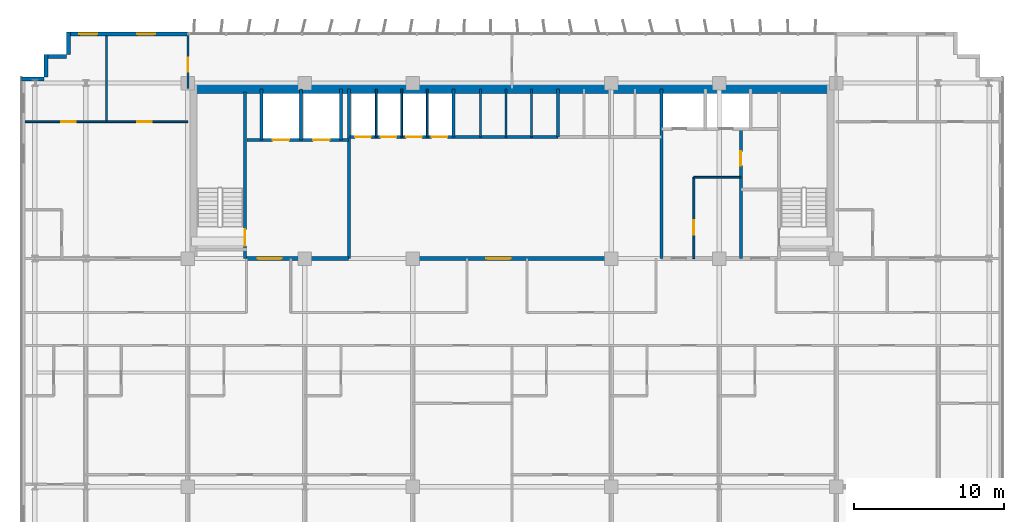
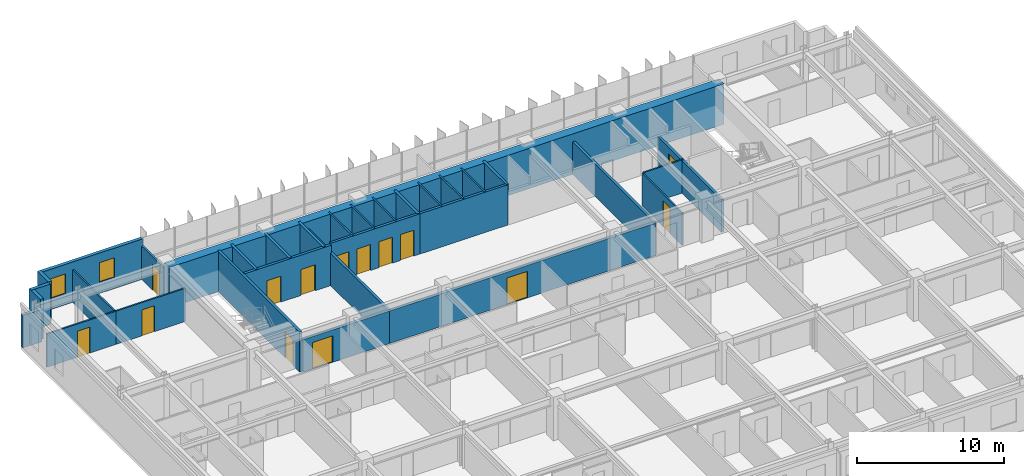
# One storey, part 19 of 24: 32 walls, 14 doors, 2 windows, 16 openings.
"""IFC4 building model written with IfcOpenShell, lengths in metres."""

from ifc_helpers import new_model, si_unit, direction, frame, frame_2d, origin, place, context, subcontext, project, spatial, rectangle, extrude, source, transform, mapped, material, layer, layer_set, type_object, element, fill, save


model = new_model("IFC4")

# Units and contexts
model_context = context("Model", 3, precision=1e-05, world=origin(), true_north=direction((0.0, 1.0)))
body_context = subcontext(model_context, "Body", "Model", "MODEL_VIEW")
ifc_project = project(units=[si_unit("LENGTHUNIT", "METRE"), si_unit("AREAUNIT", "SQUARE_METRE"), si_unit("VOLUMEUNIT", "CUBIC_METRE"), si_unit("PLANEANGLEUNIT", "RADIAN"), si_unit("MASSUNIT", "GRAM", prefix="KILO")], contexts=[model_context])

# Site, building, storey
site_placement = place(None, origin())
site = spatial("IfcSite", under=ifc_project, at=site_placement, CompositionType="ELEMENT")
building_placement = place(site_placement, origin())
building = spatial("IfcBuilding", under=site, at=building_placement, Name="Trelvane Seafront Commons", CompositionType="ELEMENT")
storey_placement = place(building_placement, frame((0.0, 0.0, 27.10009765625)))
storey = spatial("IfcBuildingStorey", under=building, at=storey_placement, Name="L06", CompositionType="ELEMENT", Elevation=27.10009765625)

# Wall, openings, windows
ifc_material_1 = material(Name="Precast concrete C40/50", Category="concrete")
ifc_layer_1 = layer(ifc_material_1, 0.260009765625, Name="ARCH-WALL-EXT260")
ifc_layer_set_1 = layer_set([ifc_layer_1], Name="Precast concrete C40/50")
wall_type_1 = type_object("IfcWallType", Name="ARCH-WALL-EXT260", PredefinedType="SOLIDWALL", material=ifc_layer_set_1)
wall_1_placement = place(storey_placement, frame((7.60009765625, 48.3701171875, 0.0), z_axis=(0.0, 0.0, 1.0), x_axis=(1.0, 0.0, 0.0)))
wall_1 = element("IfcWall", 1, at=wall_1_placement, inside=storey, type_object=wall_type_1, Name="EW-L06-NW-0066", PredefinedType="SOLIDWALL", context=body_context, shape_type="SweptSolid", body=[
    extrude(rectangle(XDim=8.0, YDim=0.260009765625, at=frame_2d((4.0, 0.0))), origin(), (0.0, 0.0, 1.0), 3.33984375),
])
opening_1_placement = place(wall_1_placement, frame((0.76806640625, 0.0, 0.89990234375)))
opening_1 = element("IfcOpeningElement", 2, at=opening_1_placement, cuts=wall_1, Name="Opening W05", PredefinedType="OPENING", context=body_context, shape_type="SweptSolid", body=[
    extrude(rectangle(XDim=1.199951171875, YDim=1.64990234375, at=frame_2d((0.60009765625, 0.824951171875))), frame((0.0, 0.139892578125, 0.0), z_axis=(0.0, -1.0, 0.0), x_axis=(1.0, 0.0, 0.0)), (0.0, 0.0, 1.0), 0.280029296875),
])
opening_2_placement = place(wall_1_placement, frame((4.60791015625, 0.0, 0.89990234375)))
opening_2 = element("IfcOpeningElement", 3, at=opening_2_placement, cuts=wall_1, Name="Opening W05", PredefinedType="OPENING", context=body_context, shape_type="SweptSolid", body=[
    extrude(rectangle(XDim=1.199951171875, YDim=1.64990234375, at=frame_2d((0.60009765625, 0.824951171875))), frame((0.0, 0.139892578125, 0.0), z_axis=(0.0, -1.0, 0.0), x_axis=(1.0, 0.0, 0.0)), (0.0, 0.0, 1.0), 0.280029296875),
])
ifc_material_2 = material(Name="Low-E coastal double glazing", Category="glass")
window_type = type_object("IfcWindowType", Name="ARCH-WIN-W05", PartitioningType="SINGLE_PANEL", PredefinedType="WINDOW", material=ifc_material_2)
shared_shape_1 = source(origin(), body_context, "Body", "SweptSolid", [
    extrude(rectangle(XDim=1.199951171875, YDim=1.64990234375, at=frame_2d((0.60009765625, 0.824951171875))), frame((0.0, 0.030029296875, 0.0), z_axis=(0.0, -1.0, 0.0), x_axis=(1.0, 0.0, 0.0)), (0.0, 0.0, 1.0), 0.06005859375),
])
window_1_placement = place(opening_1_placement, origin())
window_1 = element("IfcWindow", 4, at=window_1_placement, inside=storey, type_object=window_type, Name="WIN-L06-00100", OverallHeight=1.64990234375, OverallWidth=1.199951171875, PartitioningType="SINGLE_PANEL", PredefinedType="WINDOW", context=body_context, shape_type="MappedRepresentation", body=[
    mapped(shared_shape_1, transform((0.0, 0.0, 0.0), x_axis=(1.0, 0.0, 0.0), y_axis=(0.0, 1.0, 0.0), z_axis=(0.0, 0.0, 1.0), scale=1.0)),
])
fill(opening_1, window_1)
window_2_placement = place(opening_2_placement, origin())
window_2 = element("IfcWindow", 5, at=window_2_placement, inside=storey, type_object=window_type, Name="WIN-L06-00101", OverallHeight=1.64990234375, OverallWidth=1.199951171875, PartitioningType="SINGLE_PANEL", PredefinedType="WINDOW", context=body_context, shape_type="MappedRepresentation", body=[
    mapped(shared_shape_1, transform((0.0, 0.0, 0.0), x_axis=(1.0, 0.0, 0.0), y_axis=(0.0, 1.0, 0.0), z_axis=(0.0, 0.0, 1.0), scale=1.0)),
])
fill(opening_2, window_2)

# Walls
wall_2_placement = place(storey_placement, frame((4.5, 45.3701171875, 0.0), z_axis=(0.0, 0.0, 1.0), x_axis=(1.0, 0.0, 0.0)))
element("IfcWall", 6, at=wall_2_placement, inside=storey, type_object=wall_type_1, Name="EW-L06-00072", PredefinedType="SOLIDWALL", context=body_context, shape_type="SweptSolid", body=[
    extrude(rectangle(XDim=1.5, YDim=0.260009765625, at=frame_2d((0.75, 0.0))), origin(), (0.0, 0.0, 1.0), 2.68994140625),
])
for number, where, z_axis, x_axis, name in (
    (7, (6.1298828125, 45.5, 0.0), (0.0, 0.0, 1.0), (0.0, 1.0, 0.0), "EW-L06-00073"),
    (8, (6.0, 46.8701171875, 0.0), (0.0, 0.0, 1.0), (1.0, 0.0, 0.0), "EW-L06-00074"),
    (9, (7.6298828125, 47.0, 0.0), (0.0, 0.0, 1.0), (0.0, 1.0, 0.0), "EW-L06-00075"),
):
    element("IfcWall", number, at=place(storey_placement, frame(where, z_axis=z_axis, x_axis=x_axis)), inside=storey, type_object=wall_type_1, Name=name, PredefinedType="SOLIDWALL", context=body_context, shape_type="SweptSolid", body=[
        extrude(rectangle(XDim=1.5, YDim=0.260009765625, at=frame_2d((0.75, 0.0))), origin(), (0.0, 0.0, 1.0), 3.33984375),
    ])

# Wall, opening, door
ifc_material_3 = material(Name="Concrete C40/50", Category="concrete")
ifc_layer_2 = layer(ifc_material_3, 0.199951171875, Name="ARCH-WALL-FIRE200")
ifc_layer_set_2 = layer_set([ifc_layer_2], Name="Concrete C40/50")
wall_type_2 = type_object("IfcWallType", Name="ARCH-WALL-FIRE200", PredefinedType="PARTITIONING", material=ifc_layer_set_2)
wall_3_placement = place(storey_placement, frame((52.449951171875, 33.39990234375, 0.0), z_axis=(0.0, 0.0, 1.0), x_axis=(0.0, 1.0, 0.0)))
wall_3 = element("IfcWall", 10, at=wall_3_placement, inside=storey, type_object=wall_type_2, Name="W-L06-ST2V-W-033", PredefinedType="PARTITIONING", context=body_context, shape_type="SweptSolid", body=[
    extrude(rectangle(XDim=8.650146484375, YDim=0.199951171875, at=frame_2d((4.3251953125, 0.0))), origin(), (0.0, 0.0, 1.0), 2.68994140625),
])
opening_3_placement = place(wall_3_placement, frame((6.199951171875, 0.0, 0.0)))
opening_3 = element("IfcOpeningElement", 11, at=opening_3_placement, cuts=wall_3, Name="Opening FD-L06-13", PredefinedType="OPENING", context=body_context, shape_type="SweptSolid", body=[
    extrude(rectangle(XDim=0.949951171875, YDim=2.14990234375, at=frame_2d((0.47509765625, 1.074951171875))), frame((0.0, 0.10986328125, 0.0), z_axis=(0.0, -1.0, 0.0), x_axis=(1.0, 0.0, 0.0)), (0.0, 0.0, 1.0), 0.219970703125),
])
ifc_material_4 = material(Name="Powder-coated aluminium frame", Category="aluminium")
door_type_1 = type_object("IfcDoorType", Name="ARCH-DR-FD60-950", OperationType="NOTDEFINED", PredefinedType="DOOR", material=ifc_material_4)
shared_shape_2 = source(origin(), body_context, "Body", "SweptSolid", [
    extrude(rectangle(XDim=0.949951171875, YDim=2.14990234375, at=frame_2d((0.47509765625, 1.074951171875))), frame((0.0, 0.02490234375, 0.0), z_axis=(0.0, -1.0, 0.0), x_axis=(1.0, 0.0, 0.0)), (0.0, 0.0, 1.0), 0.050048828125),
])
door_1_placement = place(opening_3_placement, origin())
door_1 = element("IfcDoor", 12, at=door_1_placement, inside=storey, type_object=door_type_1, Name="L06 Cleaner Store Door", OperationType="SINGLE_SWING_LEFT", OverallHeight=2.14990234375, OverallWidth=0.949951171875, PredefinedType="DOOR", context=body_context, shape_type="MappedRepresentation", body=[
    mapped(shared_shape_2, transform((0.0, 0.0, 0.0), x_axis=(1.0, 0.0, 0.0), y_axis=(0.0, 1.0, 0.0), z_axis=(0.0, 0.0, 1.0), scale=1.0)),
])
fill(opening_3, door_1)

ifc_layer_3 = layer(ifc_material_3, 0.25, Name="ARCH-WALL-FIRE250")
ifc_layer_set_3 = layer_set([ifc_layer_3], Name="Concrete C40/50")
wall_type_3 = type_object("IfcWallType", Name="ARCH-WALL-FIRE250", PredefinedType="PARTITIONING", material=ifc_layer_set_3)
wall_4_placement = place(storey_placement, frame((19.5, 33.39990234375, 0.0), z_axis=(0.0, 0.0, 1.0), x_axis=(1.0, 0.0, 0.0)))
wall_4 = element("IfcWall", 13, at=wall_4_placement, inside=storey, type_object=wall_type_3, Name="W-L06-CS-FFL-013", PredefinedType="PARTITIONING", context=body_context, shape_type="SweptSolid", body=[
    extrude(rectangle(XDim=6.800048828125, YDim=0.25, at=frame_2d((3.39990234375, 0.0))), origin(), (0.0, 0.0, 1.0), 2.68994140625),
])
opening_4_placement = place(wall_4_placement, frame((0.75, 0.0, 0.0)))
opening_4 = element("IfcOpeningElement", 14, at=opening_4_placement, cuts=wall_4, Name="Opening FD-L06-05", PredefinedType="OPENING", context=body_context, shape_type="SweptSolid", body=[
    extrude(rectangle(XDim=1.60009765625, YDim=2.199951171875, at=frame_2d((0.800048828125, 1.10009765625))), frame((0.0, 0.135009765625, 0.0), z_axis=(0.0, -1.0, 0.0), x_axis=(1.0, 0.0, 0.0)), (0.0, 0.0, 1.0), 0.27001953125),
])
door_type_2 = type_object("IfcDoorType", Name="ARCH-DR-FD60-1600", OperationType="DOUBLE_DOOR_SINGLE_SWING", PredefinedType="DOOR", material=ifc_material_4)
shared_shape_3 = source(origin(), body_context, "Body", "SweptSolid", [
    extrude(rectangle(XDim=1.60009765625, YDim=2.199951171875, at=frame_2d((0.800048828125, 1.10009765625))), frame((0.0, 0.02490234375, 0.0), z_axis=(0.0, -1.0, 0.0), x_axis=(1.0, 0.0, 0.0)), (0.0, 0.0, 1.0), 0.050048828125),
])
door_2_placement = place(opening_4_placement, origin())
door_2 = element("IfcDoor", 15, at=door_2_placement, inside=storey, type_object=door_type_2, Name="L06 Firefighting Lift Lobby Double Fire Door", OperationType="DOUBLE_DOOR_SINGLE_SWING", OverallHeight=2.199951171875, OverallWidth=1.60009765625, PredefinedType="DOOR", context=body_context, shape_type="MappedRepresentation", body=[
    mapped(shared_shape_3, transform((0.0, 0.0, 0.0), x_axis=(1.0, 0.0, 0.0), y_axis=(0.0, 1.0, 0.0), z_axis=(0.0, 0.0, 1.0), scale=1.0)),
])
fill(opening_4, door_2)

wall_5_placement = place(storey_placement, frame((26.300048828125, 33.39990234375, 0.0), z_axis=(0.0, 0.0, 1.0), x_axis=(1.0, 0.0, 0.0)))
wall_5 = element("IfcWall", 16, at=wall_5_placement, inside=storey, type_object=wall_type_3, Name="W-L06-CS-PAX-029", PredefinedType="PARTITIONING", context=body_context, shape_type="SweptSolid", body=[
    extrude(rectangle(XDim=20.849853515625, YDim=0.25, at=frame_2d((10.4248046875, 0.0))), origin(), (0.0, 0.0, 1.0), 2.68994140625),
])
opening_5_placement = place(wall_5_placement, frame((9.199951171875, 0.0, 0.0)))
opening_5 = element("IfcOpeningElement", 17, at=opening_5_placement, cuts=wall_5, Name="Opening FD-L06-10", PredefinedType="OPENING", context=body_context, shape_type="SweptSolid", body=[
    extrude(rectangle(XDim=1.60009765625, YDim=2.199951171875, at=frame_2d((0.800048828125, 1.10009765625))), frame((0.0, 0.135009765625, 0.0), z_axis=(0.0, -1.0, 0.0), x_axis=(1.0, 0.0, 0.0)), (0.0, 0.0, 1.0), 0.27001953125),
])
door_3_placement = place(opening_5_placement, origin())
door_3 = element("IfcDoor", 18, at=door_3_placement, inside=storey, type_object=door_type_2, Name="L06 Passenger Lift Lobby Double Door", OperationType="DOUBLE_DOOR_SINGLE_SWING", OverallHeight=2.199951171875, OverallWidth=1.60009765625, PredefinedType="DOOR", context=body_context, shape_type="MappedRepresentation", body=[
    mapped(shared_shape_3, transform((0.0, 0.0, 0.0), x_axis=(1.0, 0.0, 0.0), y_axis=(0.0, 1.0, 0.0), z_axis=(0.0, 0.0, 1.0), scale=1.0)),
])
fill(opening_5, door_3)

# Walls
ifc_material_5 = material(Name="Gypsum Drywall Acoustic Partition")
ifc_layer_4 = layer(ifc_material_5, 0.1201171875, Name="ARCH-WALL-PART120")
ifc_layer_set_4 = layer_set([ifc_layer_4], Name="Gypsum Drywall Acoustic Partition")
wall_type_4 = type_object("IfcWallType", Name="ARCH-WALL-PART120", PredefinedType="PARTITIONING", material=ifc_layer_set_4)
for number, where, z_axis, x_axis, name in (
    (19, (28.14990234375, 41.5, 0.0), (0.0, 0.0, 1.0), (0.0, 1.0, 0.0), "W-L06-PL-DIV1-016"),
    (20, (29.85009765625, 41.5, 0.0), (0.0, 0.0, 1.0), (0.0, 1.0, 0.0), "W-L06-PL-DIV2-017"),
    (21, (31.550048828125, 41.5, 0.0), (0.0, 0.0, 1.0), (0.0, 1.0, 0.0), "W-L06-PL-DIV3-018"),
    (22, (35.10009765625, 41.5, 0.0), (0.0, 0.0, 1.0), (0.0, 1.0, 0.0), "W-L06-PM-DIV1-020"),
    (23, (36.800048828125, 41.5, 0.0), (0.0, 0.0, 1.0), (0.0, 1.0, 0.0), "W-L06-PM-DIV2-021"),
    (24, (38.5, 41.5, 0.0), (0.0, 0.0, 1.0), (0.0, 1.0, 0.0), "W-L06-PM-DIV3-022"),
):
    element("IfcWall", number, at=place(storey_placement, frame(where, z_axis=z_axis, x_axis=x_axis)), inside=storey, type_object=wall_type_4, Name=name, PredefinedType="PARTITIONING", context=body_context, shape_type="SweptSolid", body=[
        extrude(rectangle(XDim=3.199951171875, YDim=0.1201171875, at=frame_2d((1.60009765625, 0.0))), origin(), (0.0, 0.0, 1.0), 3.33984375),
    ])

# Wall, opening, door
wall_6_placement = place(storey_placement, frame((49.320068359375, 33.39990234375, 0.0), z_axis=(0.0, 0.0, 1.0), x_axis=(0.0, 1.0, 0.0)))
wall_6 = element("IfcWall", 25, at=wall_6_placement, inside=storey, type_object=wall_type_4, Name="W-L06-CYC2-V-035", PredefinedType="PARTITIONING", context=body_context, shape_type="SweptSolid", body=[
    extrude(rectangle(XDim=5.420166015625, YDim=0.1201171875, at=frame_2d((2.7099609375, 0.0))), origin(), (0.0, 0.0, 1.0), 2.68994140625),
])
opening_6_placement = place(wall_6_placement, frame((1.60009765625, 0.0, 0.0)))
opening_6 = element("IfcOpeningElement", 26, at=opening_6_placement, cuts=wall_6, Name="Opening D-L06-14", PredefinedType="OPENING", context=body_context, shape_type="SweptSolid", body=[
    extrude(rectangle(XDim=0.949951171875, YDim=2.14990234375, at=frame_2d((0.47509765625, 1.074951171875))), frame((0.0, 0.070068359375, 0.0), z_axis=(0.0, -1.0, 0.0), x_axis=(1.0, 0.0, 0.0)), (0.0, 0.0, 1.0), 0.14013671875),
])
ifc_material_6 = material(Name="Acoustic timber door leaf", Category="wood")
door_type_3 = type_object("IfcDoorType", Name="ARCH-DR-INT950", OperationType="NOTDEFINED", PredefinedType="DOOR", material=ifc_material_6)
door_4_placement = place(opening_6_placement, origin())
door_4 = element("IfcDoor", 27, at=door_4_placement, inside=storey, type_object=door_type_3, Name="L06 Accessible WC Door", OperationType="SINGLE_SWING_RIGHT", OverallHeight=2.14990234375, OverallWidth=0.949951171875, PredefinedType="DOOR", context=body_context, shape_type="MappedRepresentation", body=[
    mapped(shared_shape_2, transform((0.0, 0.0, 0.0), x_axis=(1.0, 0.0, 0.0), y_axis=(0.0, 1.0, 0.0), z_axis=(0.0, 0.0, 1.0), scale=1.0)),
])
fill(opening_6, door_4)

# Wall
wall_7_placement = place(storey_placement, frame((49.320068359375, 38.820068359375, 0.0), z_axis=(0.0, 0.0, 1.0), x_axis=(1.0, 0.0, 0.0)))
element("IfcWall", 28, at=wall_7_placement, inside=storey, type_object=wall_type_4, Name="W-L06-CYC2-H-036", PredefinedType="PARTITIONING", context=body_context, shape_type="SweptSolid", body=[
    extrude(rectangle(XDim=3.1298828125, YDim=0.1201171875, at=frame_2d((1.56494140625, 0.0))), origin(), (0.0, 0.0, 1.0), 2.751953125),
])

# Wall, opening, door
wall_8_placement = place(storey_placement, frame((4.75, 42.52001953125, 0.0), z_axis=(0.0, 0.0, 1.0), x_axis=(1.0, 0.0, 0.0)))
wall_8 = element("IfcWall", 29, at=wall_8_placement, inside=storey, type_object=wall_type_4, Name="W-L06-NW-KB1-051", PredefinedType="PARTITIONING", context=body_context, shape_type="SweptSolid", body=[
    extrude(rectangle(XDim=5.425048828125, YDim=0.1201171875, at=frame_2d((2.71240234375, 0.0))), origin(), (0.0, 0.0, 1.0), 2.751953125),
])
opening_7_placement = place(wall_8_placement, frame((2.423095703125, 0.0, 0.0)))
opening_7 = element("IfcOpeningElement", 30, at=opening_7_placement, cuts=wall_8, Name="Opening D-L06-23", PredefinedType="OPENING", context=body_context, shape_type="SweptSolid", body=[
    extrude(rectangle(XDim=0.949951171875, YDim=2.14990234375, at=frame_2d((0.47509765625, 1.074951171875))), frame((0.0, 0.070068359375, 0.0), z_axis=(0.0, -1.0, 0.0), x_axis=(1.0, 0.0, 0.0)), (0.0, 0.0, 1.0), 0.14013671875),
])
door_5_placement = place(opening_7_placement, origin())
door_5 = element("IfcDoor", 31, at=door_5_placement, inside=storey, type_object=door_type_3, Name="L06 Door 23", OperationType="SINGLE_SWING_LEFT", OverallHeight=2.14990234375, OverallWidth=0.949951171875, PredefinedType="DOOR", context=body_context, shape_type="MappedRepresentation", body=[
    mapped(shared_shape_2, transform((0.0, 0.0, 0.0), x_axis=(1.0, 0.0, 0.0), y_axis=(0.0, 1.0, 0.0), z_axis=(0.0, 0.0, 1.0), scale=1.0)),
])
fill(opening_7, door_5)

wall_9_placement = place(storey_placement, frame((10.175048828125, 42.52001953125, 0.0), z_axis=(0.0, 0.0, 1.0), x_axis=(1.0, 0.0, 0.0)))
wall_9 = element("IfcWall", 32, at=wall_9_placement, inside=storey, type_object=wall_type_4, Name="W-L06-NW-KB2-052", PredefinedType="PARTITIONING", context=body_context, shape_type="SweptSolid", body=[
    extrude(rectangle(XDim=5.425048828125, YDim=0.1201171875, at=frame_2d((2.71240234375, 0.0))), origin(), (0.0, 0.0, 1.0), 2.751953125),
])
opening_8_placement = place(wall_9_placement, frame((2.052001953125, 0.0, 0.0)))
opening_8 = element("IfcOpeningElement", 33, at=opening_8_placement, cuts=wall_9, Name="Opening D-L06-24", PredefinedType="OPENING", context=body_context, shape_type="SweptSolid", body=[
    extrude(rectangle(XDim=0.949951171875, YDim=2.14990234375, at=frame_2d((0.47509765625, 1.074951171875))), frame((0.0, 0.070068359375, 0.0), z_axis=(0.0, -1.0, 0.0), x_axis=(1.0, 0.0, 0.0)), (0.0, 0.0, 1.0), 0.14013671875),
])
door_6_placement = place(opening_8_placement, origin())
door_6 = element("IfcDoor", 34, at=door_6_placement, inside=storey, type_object=door_type_3, Name="L06 Door 24", OperationType="SINGLE_SWING_RIGHT", OverallHeight=2.14990234375, OverallWidth=0.949951171875, PredefinedType="DOOR", context=body_context, shape_type="MappedRepresentation", body=[
    mapped(shared_shape_2, transform((0.0, 0.0, 0.0), x_axis=(1.0, 0.0, 0.0), y_axis=(0.0, 1.0, 0.0), z_axis=(0.0, 0.0, 1.0), scale=1.0)),
])
fill(opening_8, door_6)

# Wall
wall_10_placement = place(storey_placement, frame((10.175048828125, 42.52001953125, 0.0), z_axis=(0.0, 0.0, 1.0), x_axis=(0.0, 1.0, 0.0)))
element("IfcWall", 35, at=wall_10_placement, inside=storey, type_object=wall_type_4, Name="W-L06-NW-KBDV-053", PredefinedType="PARTITIONING", context=body_context, shape_type="SweptSolid", body=[
    extrude(rectangle(XDim=5.719970703125, YDim=0.1201171875, at=frame_2d((2.85986328125, 0.0))), origin(), (0.0, 0.0, 1.0), 2.68994140625),
])

# Wall, opening, door
ifc_layer_5 = layer(ifc_material_5, 0.14990234375, Name="ARCH-WALL-PART150")
ifc_layer_set_5 = layer_set([ifc_layer_5], Name="Gypsum Drywall Acoustic Partition")
wall_type_5 = type_object("IfcWallType", Name="ARCH-WALL-PART150", PredefinedType="PARTITIONING", material=ifc_layer_set_5)
wall_11_placement = place(storey_placement, frame((15.60009765625, 44.75, 0.0), z_axis=(0.0, 0.0, 1.0), x_axis=(0.0, 1.0, 0.0)))
wall_11 = element("IfcWall", 36, at=wall_11_placement, inside=storey, type_object=wall_type_5, Name="W-L06-N-LINK-W-062", PredefinedType="PARTITIONING", context=body_context, shape_type="SweptSolid", body=[
    extrude(rectangle(XDim=3.610107421875, YDim=0.14990234375, at=frame_2d((1.80517578125, 0.0))), origin(), (0.0, 0.0, 1.0), 2.751953125),
])
opening_9_placement = place(wall_11_placement, frame((1.10009765625, 0.0, 0.0)))
opening_9 = element("IfcOpeningElement", 37, at=opening_9_placement, cuts=wall_11, Name="Opening FD-L06-31", PredefinedType="OPENING", context=body_context, shape_type="SweptSolid", body=[
    extrude(rectangle(XDim=0.949951171875, YDim=2.14990234375, at=frame_2d((0.47509765625, 1.074951171875))), frame((0.0, 0.0849609375, 0.0), z_axis=(0.0, -1.0, 0.0), x_axis=(1.0, 0.0, 0.0)), (0.0, 0.0, 1.0), 0.169921875),
])
door_7_placement = place(opening_9_placement, origin())
door_7 = element("IfcDoor", 38, at=door_7_placement, inside=storey, type_object=door_type_1, Name="L06 Door 31", OperationType="SINGLE_SWING_LEFT", OverallHeight=2.14990234375, OverallWidth=0.949951171875, PredefinedType="DOOR", context=body_context, shape_type="MappedRepresentation", body=[
    mapped(shared_shape_2, transform((0.0, 0.0, 0.0), x_axis=(1.0, 0.0, 0.0), y_axis=(0.0, 1.0, 0.0), z_axis=(0.0, 0.0, 1.0), scale=1.0)),
])
fill(opening_9, door_7)

# Wall, openings, doors
ifc_layer_6 = layer(ifc_material_3, 0.199951171875, Name="ARCH-WALL-SHAFT200")
ifc_layer_set_6 = layer_set([ifc_layer_6], Name="Concrete C40/50")
wall_type_6 = type_object("IfcWallType", Name="ARCH-WALL-SHAFT200", PredefinedType="SOLIDWALL", material=ifc_layer_set_6)
wall_12_placement = place(storey_placement, frame((19.550048828125, 41.300048828125, 0.0), z_axis=(0.0, 0.0, 1.0), x_axis=(1.0, 0.0, 0.0)))
wall_12 = element("IfcWall", 39, at=wall_12_placement, inside=storey, type_object=wall_type_6, Name="W-L06-FFL-FRONT-008", PredefinedType="SOLIDWALL", context=body_context, shape_type="SweptSolid", body=[
    extrude(rectangle(XDim=6.75, YDim=0.199951171875, at=frame_2d((3.375, 0.0))), origin(), (0.0, 0.0, 1.0), 3.33984375),
])
opening_10_placement = place(wall_12_placement, frame((1.699951171875, 0.0, 0.0)))
opening_10 = element("IfcOpeningElement", 40, at=opening_10_placement, cuts=wall_12, Name="Opening LD-FF1-L06", PredefinedType="OPENING", context=body_context, shape_type="SweptSolid", body=[
    extrude(rectangle(XDim=1.10009765625, YDim=2.14990234375, at=frame_2d((0.550048828125, 1.074951171875))), frame((0.0, 0.10986328125, 0.0), z_axis=(0.0, -1.0, 0.0), x_axis=(1.0, 0.0, 0.0)), (0.0, 0.0, 1.0), 0.219970703125),
])
opening_11_placement = place(wall_12_placement, frame((4.39990234375, 0.0, 0.0)))
opening_11 = element("IfcOpeningElement", 41, at=opening_11_placement, cuts=wall_12, Name="Opening LD-FF2-L06", PredefinedType="OPENING", context=body_context, shape_type="SweptSolid", body=[
    extrude(rectangle(XDim=1.10009765625, YDim=2.14990234375, at=frame_2d((0.550048828125, 1.074951171875))), frame((0.0, 0.10986328125, 0.0), z_axis=(0.0, -1.0, 0.0), x_axis=(1.0, 0.0, 0.0)), (0.0, 0.0, 1.0), 0.219970703125),
])
ifc_material_7 = material(Name="Stainless steel balustrade", Category="steel")
door_type_4 = type_object("IfcDoorType", Name="ARCH-DR-LD1100", OperationType="DOUBLE_DOOR_SLIDING", PredefinedType="DOOR", material=ifc_material_7)
shared_shape_4 = source(origin(), body_context, "Body", "SweptSolid", [
    extrude(rectangle(XDim=1.10009765625, YDim=2.14990234375, at=frame_2d((0.550048828125, 1.074951171875))), frame((0.0, 0.02490234375, 0.0), z_axis=(0.0, -1.0, 0.0), x_axis=(1.0, 0.0, 0.0)), (0.0, 0.0, 1.0), 0.050048828125),
])
door_8_placement = place(opening_10_placement, origin())
door_8 = element("IfcDoor", 42, at=door_8_placement, inside=storey, type_object=door_type_4, Name="L06 Firefighting Lift FFL-1 Landing Door", OperationType="DOUBLE_DOOR_SLIDING", OverallHeight=2.14990234375, OverallWidth=1.10009765625, PredefinedType="DOOR", context=body_context, shape_type="MappedRepresentation", body=[
    mapped(shared_shape_4, transform((0.0, 0.0, 0.0), x_axis=(1.0, 0.0, 0.0), y_axis=(0.0, 1.0, 0.0), z_axis=(0.0, 0.0, 1.0), scale=1.0)),
])
fill(opening_10, door_8)
door_9_placement = place(opening_11_placement, origin())
door_9 = element("IfcDoor", 43, at=door_9_placement, inside=storey, type_object=door_type_4, Name="L06 Firefighting Lift FFL-2 Landing Door", OperationType="DOUBLE_DOOR_SLIDING", OverallHeight=2.14990234375, OverallWidth=1.10009765625, PredefinedType="DOOR", context=body_context, shape_type="MappedRepresentation", body=[
    mapped(shared_shape_4, transform((0.0, 0.0, 0.0), x_axis=(1.0, 0.0, 0.0), y_axis=(0.0, 1.0, 0.0), z_axis=(0.0, 0.0, 1.0), scale=1.0)),
])
fill(opening_11, door_9)

# Walls
for number, where, z_axis, x_axis, name in (
    (44, (20.5, 41.300048828125, 0.0), (0.0, 0.0, 1.0), (0.0, 1.0, 0.0), "W-L06-FFL-SH-W-009"),
    (45, (23.14990234375, 41.300048828125, 0.0), (0.0, 0.0, 1.0), (0.0, 1.0, 0.0), "W-L06-FFL-DIV-010"),
    (46, (25.800048828125, 41.300048828125, 0.0), (0.0, 0.0, 1.0), (0.0, 1.0, 0.0), "W-L06-FFL-SH-E-011"),
):
    element("IfcWall", number, at=place(storey_placement, frame(where, z_axis=z_axis, x_axis=x_axis)), inside=storey, type_object=wall_type_6, Name=name, PredefinedType="SOLIDWALL", context=body_context, shape_type="SweptSolid", body=[
        extrude(rectangle(XDim=3.39990234375, YDim=0.199951171875, at=frame_2d((1.699951171875, 0.0))), origin(), (0.0, 0.0, 1.0), 3.33984375),
    ])
wall_13_placement = place(storey_placement, frame((26.35009765625, 33.39990234375, 0.0), z_axis=(0.0, 0.0, 1.0), x_axis=(0.0, 1.0, 0.0)))
element("IfcWall", 47, at=wall_13_placement, inside=storey, type_object=wall_type_6, Name="W-L06-FFL-EAST-012", PredefinedType="SOLIDWALL", context=body_context, shape_type="SweptSolid", body=[
    extrude(rectangle(XDim=11.300048828125, YDim=0.199951171875, at=frame_2d((5.64990234375, 0.0))), origin(), (0.0, 0.0, 1.0), 2.68994140625),
])

# Wall, openings, doors
wall_14_placement = place(storey_placement, frame((26.39990234375, 41.5, 0.0), z_axis=(0.0, 0.0, 1.0), x_axis=(1.0, 0.0, 0.0)))
wall_14 = element("IfcWall", 48, at=wall_14_placement, inside=storey, type_object=wall_type_6, Name="W-L06-PL-FRONT-014", PredefinedType="SOLIDWALL", context=body_context, shape_type="SweptSolid", body=[
    extrude(rectangle(XDim=6.9501953125, YDim=0.199951171875, at=frame_2d((3.47509765625, 0.0))), origin(), (0.0, 0.0, 1.0), 3.33984375),
])
opening_12_placement = place(wall_14_placement, frame((0.35009765625, 0.0, 0.0)))
opening_12 = element("IfcOpeningElement", 49, at=opening_12_placement, cuts=wall_14, Name="Opening LD-PL1-L06", PredefinedType="OPENING", context=body_context, shape_type="SweptSolid", body=[
    extrude(rectangle(XDim=1.050048828125, YDim=2.14990234375, at=frame_2d((0.52490234375, 1.074951171875))), frame((0.0, 0.10986328125, 0.0), z_axis=(0.0, -1.0, 0.0), x_axis=(1.0, 0.0, 0.0)), (0.0, 0.0, 1.0), 0.219970703125),
])
opening_13_placement = place(wall_14_placement, frame((2.050048828125, 0.0, 0.0)))
opening_13 = element("IfcOpeningElement", 50, at=opening_13_placement, cuts=wall_14, Name="Opening LD-PL2-L06", PredefinedType="OPENING", context=body_context, shape_type="SweptSolid", body=[
    extrude(rectangle(XDim=1.050048828125, YDim=2.14990234375, at=frame_2d((0.52490234375, 1.074951171875))), frame((0.0, 0.10986328125, 0.0), z_axis=(0.0, -1.0, 0.0), x_axis=(1.0, 0.0, 0.0)), (0.0, 0.0, 1.0), 0.219970703125),
])
opening_14_placement = place(wall_14_placement, frame((3.75, 0.0, 0.0)))
opening_14 = element("IfcOpeningElement", 51, at=opening_14_placement, cuts=wall_14, Name="Opening LD-PL3-L06", PredefinedType="OPENING", context=body_context, shape_type="SweptSolid", body=[
    extrude(rectangle(XDim=1.050048828125, YDim=2.14990234375, at=frame_2d((0.52490234375, 1.074951171875))), frame((0.0, 0.10986328125, 0.0), z_axis=(0.0, -1.0, 0.0), x_axis=(1.0, 0.0, 0.0)), (0.0, 0.0, 1.0), 0.219970703125),
])
opening_15_placement = place(wall_14_placement, frame((5.449951171875, 0.0, 0.0)))
opening_15 = element("IfcOpeningElement", 52, at=opening_15_placement, cuts=wall_14, Name="Opening LD-PL4-L06", PredefinedType="OPENING", context=body_context, shape_type="SweptSolid", body=[
    extrude(rectangle(XDim=1.050048828125, YDim=2.14990234375, at=frame_2d((0.52490234375, 1.074951171875))), frame((0.0, 0.10986328125, 0.0), z_axis=(0.0, -1.0, 0.0), x_axis=(1.0, 0.0, 0.0)), (0.0, 0.0, 1.0), 0.219970703125),
])
door_type_5 = type_object("IfcDoorType", Name="ARCH-DR-LD1050", OperationType="DOUBLE_DOOR_SLIDING", PredefinedType="DOOR", material=ifc_material_7)
shared_shape_5 = source(origin(), body_context, "Body", "SweptSolid", [
    extrude(rectangle(XDim=1.050048828125, YDim=2.14990234375, at=frame_2d((0.52490234375, 1.074951171875))), frame((0.0, 0.02490234375, 0.0), z_axis=(0.0, -1.0, 0.0), x_axis=(1.0, 0.0, 0.0)), (0.0, 0.0, 1.0), 0.050048828125),
])
door_10_placement = place(opening_12_placement, origin())
door_10 = element("IfcDoor", 53, at=door_10_placement, inside=storey, type_object=door_type_5, Name="L06 Passenger Lift PL-1 Landing Door", OperationType="DOUBLE_DOOR_SLIDING", OverallHeight=2.14990234375, OverallWidth=1.050048828125, PredefinedType="DOOR", context=body_context, shape_type="MappedRepresentation", body=[
    mapped(shared_shape_5, transform((0.0, 0.0, 0.0), x_axis=(1.0, 0.0, 0.0), y_axis=(0.0, 1.0, 0.0), z_axis=(0.0, 0.0, 1.0), scale=1.0)),
])
fill(opening_12, door_10)
door_11_placement = place(opening_13_placement, origin())
door_11 = element("IfcDoor", 54, at=door_11_placement, inside=storey, type_object=door_type_5, Name="L06 Passenger Lift PL-2 Landing Door", OperationType="DOUBLE_DOOR_SLIDING", OverallHeight=2.14990234375, OverallWidth=1.050048828125, PredefinedType="DOOR", context=body_context, shape_type="MappedRepresentation", body=[
    mapped(shared_shape_5, transform((0.0, 0.0, 0.0), x_axis=(1.0, 0.0, 0.0), y_axis=(0.0, 1.0, 0.0), z_axis=(0.0, 0.0, 1.0), scale=1.0)),
])
fill(opening_13, door_11)
door_12_placement = place(opening_14_placement, origin())
door_12 = element("IfcDoor", 55, at=door_12_placement, inside=storey, type_object=door_type_5, Name="L06 Passenger Lift PL-3 Landing Door", OperationType="DOUBLE_DOOR_SLIDING", OverallHeight=2.14990234375, OverallWidth=1.050048828125, PredefinedType="DOOR", context=body_context, shape_type="MappedRepresentation", body=[
    mapped(shared_shape_5, transform((0.0, 0.0, 0.0), x_axis=(1.0, 0.0, 0.0), y_axis=(0.0, 1.0, 0.0), z_axis=(0.0, 0.0, 1.0), scale=1.0)),
])
fill(opening_14, door_12)
door_13_placement = place(opening_15_placement, origin())
door_13 = element("IfcDoor", 56, at=door_13_placement, inside=storey, type_object=door_type_5, Name="L06 Passenger Lift PL-4 Landing Door", OperationType="DOUBLE_DOOR_SLIDING", OverallHeight=2.14990234375, OverallWidth=1.050048828125, PredefinedType="DOOR", context=body_context, shape_type="MappedRepresentation", body=[
    mapped(shared_shape_5, transform((0.0, 0.0, 0.0), x_axis=(1.0, 0.0, 0.0), y_axis=(0.0, 1.0, 0.0), z_axis=(0.0, 0.0, 1.0), scale=1.0)),
])
fill(opening_15, door_13)

# Walls
wall_15_placement = place(storey_placement, frame((33.300048828125, 41.5, 0.0), z_axis=(0.0, 0.0, 1.0), x_axis=(0.0, 1.0, 0.0)))
element("IfcWall", 57, at=wall_15_placement, inside=storey, type_object=wall_type_6, Name="W-L06-PL-EAST-SH-015", PredefinedType="SOLIDWALL", context=body_context, shape_type="SweptSolid", body=[
    extrude(rectangle(XDim=3.199951171875, YDim=0.199951171875, at=frame_2d((1.60009765625, 0.0))), origin(), (0.0, 0.0, 1.0), 3.33984375),
])
wall_16_placement = place(storey_placement, frame((33.35009765625, 41.5, 0.0), z_axis=(0.0, 0.0, 1.0), x_axis=(1.0, 0.0, 0.0)))
element("IfcWall", 58, at=wall_16_placement, inside=storey, type_object=wall_type_6, Name="W-L06-PM-FRONT-019", PredefinedType="SOLIDWALL", context=body_context, shape_type="SweptSolid", body=[
    extrude(rectangle(XDim=6.89990234375, YDim=0.199951171875, at=frame_2d((3.449951171875, 0.0))), origin(), (0.0, 0.0, 1.0), 3.33984375),
])
wall_17_placement = place(storey_placement, frame((40.25, 41.5, 0.0), z_axis=(0.0, 0.0, 1.0), x_axis=(0.0, 1.0, 0.0)))
element("IfcWall", 59, at=wall_17_placement, inside=storey, type_object=wall_type_6, Name="W-L06-PH-WEST-SH-024", PredefinedType="SOLIDWALL", context=body_context, shape_type="SweptSolid", body=[
    extrude(rectangle(XDim=3.199951171875, YDim=0.199951171875, at=frame_2d((1.60009765625, 0.0))), origin(), (0.0, 0.0, 1.0), 3.33984375),
])
wall_18_placement = place(storey_placement, frame((47.14990234375, 33.39990234375, 0.0), z_axis=(0.0, 0.0, 1.0), x_axis=(0.0, 1.0, 0.0)))
element("IfcWall", 60, at=wall_18_placement, inside=storey, type_object=wall_type_6, Name="W-L06-PH-EAST-028", PredefinedType="SOLIDWALL", context=body_context, shape_type="SweptSolid", body=[
    extrude(rectangle(XDim=11.300048828125, YDim=0.199951171875, at=frame_2d((5.64990234375, 0.0))), origin(), (0.0, 0.0, 1.0), 2.68994140625),
])
ifc_material_8 = material(Name="Concrete C60/75", Category="concrete")
ifc_layer_7 = layer(ifc_material_8, 0.699951171875, Name="STR-WALL-CORE700")
ifc_layer_set_7 = layer_set([ifc_layer_7], Name="Concrete C60/75")
wall_type_7 = type_object("IfcWallType", Name="STR-WALL-CORE700", PredefinedType="SHEAR", material=ifc_layer_set_7)
wall_19_placement = place(storey_placement, frame((15.5, 44.75, 0.0), z_axis=(0.0, 0.0, 1.0), x_axis=(1.0, 0.0, 0.0)))
element("IfcWall", 61, at=wall_19_placement, inside=storey, type_object=wall_type_7, Name="W-L06-CN-ALL-001", PredefinedType="SHEAR", context=body_context, shape_type="SweptSolid", body=[
    extrude(rectangle(XDim=43.39990234375, YDim=0.699951171875, at=frame_2d((21.699951171875, 0.0))), origin(), (0.0, 0.0, 1.0), 3.33984375),
])

# Wall, opening, door
ifc_material_9 = material(Name="Concrete C50/60", Category="concrete")
ifc_layer_8 = layer(ifc_material_9, 0.199951171875, Name="STR-WALL-STAIR200")
ifc_layer_set_8 = layer_set([ifc_layer_8], Name="Concrete C50/60")
wall_type_8 = type_object("IfcWallType", Name="STR-WALL-STAIR200", PredefinedType="SHEAR", material=ifc_layer_set_8)
wall_20_placement = place(storey_placement, frame((19.39990234375, 33.39990234375, 0.0), z_axis=(0.0, 0.0, 1.0), x_axis=(0.0, 1.0, 0.0)))
wall_20 = element("IfcWall", 62, at=wall_20_placement, inside=storey, type_object=wall_type_8, Name="W-L06-ST1-E-005", PredefinedType="SHEAR", context=body_context, shape_type="SweptSolid", body=[
    extrude(rectangle(XDim=11.10009765625, YDim=0.199951171875, at=frame_2d((5.550048828125, 0.0))), origin(), (0.0, 0.0, 1.0), 3.33984375),
])
opening_16_placement = place(wall_20_placement, frame((0.85009765625, 0.0, 0.0)))
opening_16 = element("IfcOpeningElement", 63, at=opening_16_placement, cuts=wall_20, Name="Opening ST-D1-L06", PredefinedType="OPENING", context=body_context, shape_type="SweptSolid", body=[
    extrude(rectangle(XDim=1.10009765625, YDim=2.14990234375, at=frame_2d((0.550048828125, 1.074951171875))), frame((0.0, 0.10986328125, 0.0), z_axis=(0.0, -1.0, 0.0), x_axis=(1.0, 0.0, 0.0)), (0.0, 0.0, 1.0), 0.219970703125),
])
door_type_6 = type_object("IfcDoorType", Name="ARCH-DR-FD90-1100", OperationType="NOTDEFINED", PredefinedType="DOOR", material=ifc_material_4)
door_14_placement = place(opening_16_placement, origin())
door_14 = element("IfcDoor", 64, at=door_14_placement, inside=storey, type_object=door_type_6, Name="L06 Stair ST-1 Lobby Fire Door", OperationType="SINGLE_SWING_LEFT", OverallHeight=2.14990234375, OverallWidth=1.10009765625, PredefinedType="DOOR", context=body_context, shape_type="MappedRepresentation", body=[
    mapped(shared_shape_4, transform((0.0, 0.0, 0.0), x_axis=(1.0, 0.0, 0.0), y_axis=(0.0, 1.0, 0.0), z_axis=(0.0, 0.0, 1.0), scale=1.0)),
])
fill(opening_16, door_14)

save(model, "model.ifc")
